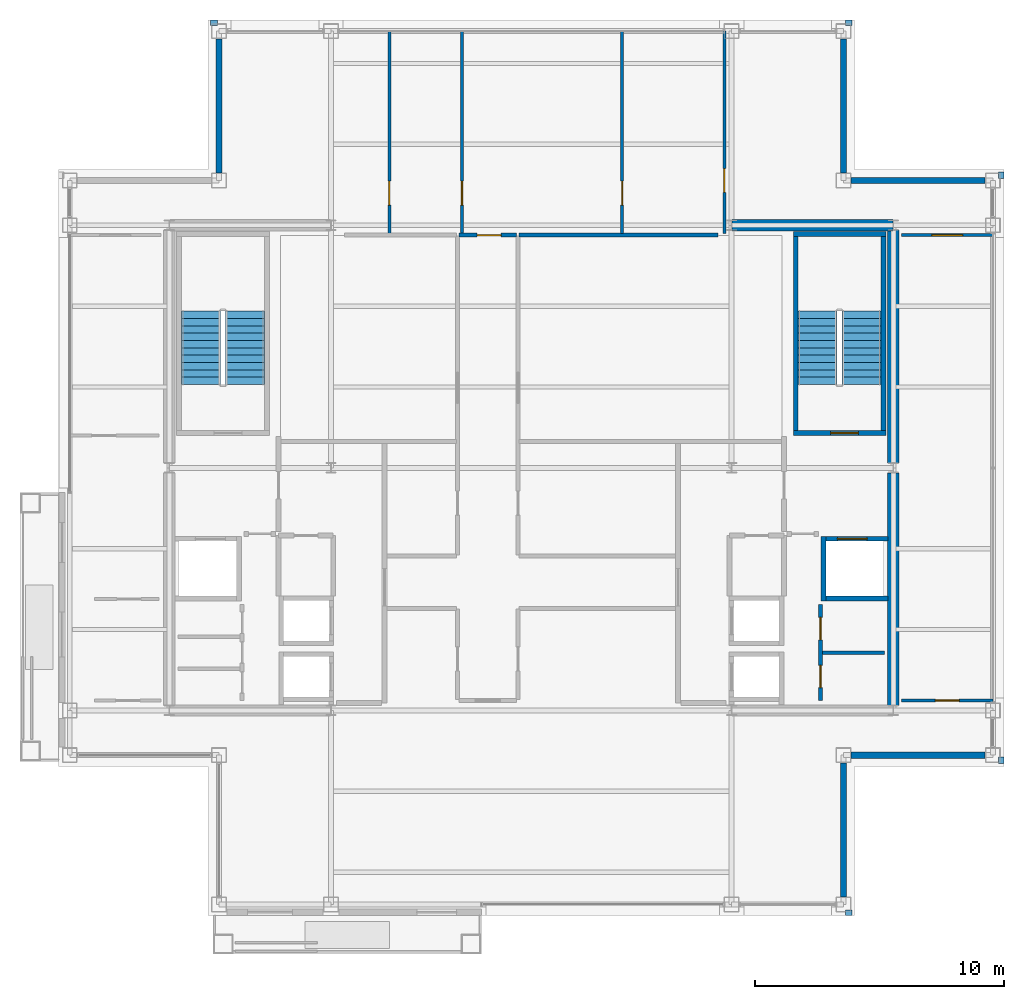
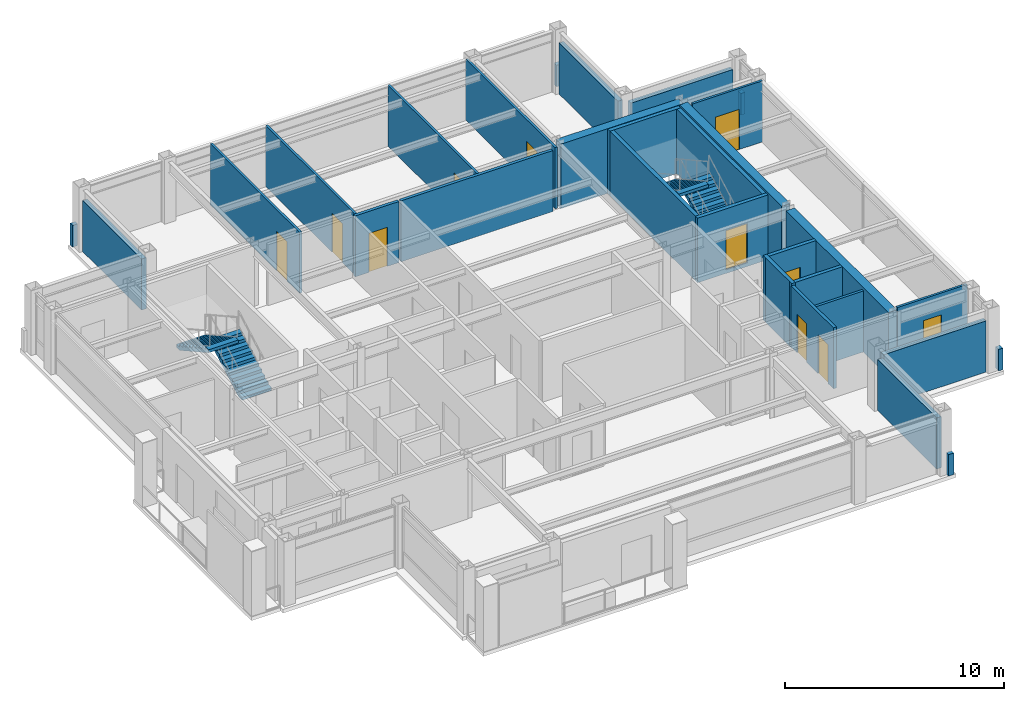
# One storey, part 22 of 24: 30 walls, 11 doors, 4 stair flights, 11 openings, 2 elements without a shape of their own.
"""IFC4 building model written with IfcOpenShell, lengths in metres."""

from ifc_helpers import new_model, si_unit, direction, frame, frame_2d, origin, place, context, subcontext, project, spatial, polyline, rectangle, outline, extrude, material, layer, layer_set, type_object, element, fill, aggregate, save


model = new_model("IFC4")

# Units and contexts
model_context = context("Model", 3, precision=1e-05, world=origin(), true_north=direction((0.0, 1.0)))
body_context = subcontext(model_context, "Body", "Model", "MODEL_VIEW")
ifc_project = project(units=[si_unit("LENGTHUNIT", "METRE"), si_unit("AREAUNIT", "SQUARE_METRE"), si_unit("VOLUMEUNIT", "CUBIC_METRE"), si_unit("PLANEANGLEUNIT", "RADIAN"), si_unit("MASSUNIT", "GRAM", prefix="KILO")], contexts=[model_context])

# Site, building, storey
site_placement = place(None, origin())
site = spatial("IfcSite", under=ifc_project, at=site_placement, CompositionType="ELEMENT")
building_placement = place(site_placement, origin())
building = spatial("IfcBuilding", under=site, at=building_placement, Name="Brelmoor Portico Tower", CompositionType="ELEMENT")
storey_placement = place(building_placement, frame((0.0, 0.0, 261.60009765625)))
storey = spatial("IfcBuildingStorey", under=building, at=storey_placement, Name="L69", CompositionType="ELEMENT", Elevation=261.60009765625)

# Walls
ifc_material_1 = material(Name="Concrete C50", Category="concrete")
ifc_layer_1 = layer(ifc_material_1, 0.449951171875)
ifc_layer_set_1 = layer_set([ifc_layer_1], Name="Concrete C50")
wall_type_1 = type_object("IfcWallType", Name="WL-CORE-450", PredefinedType="SHEAR", material=ifc_layer_set_1)
wall_1_placement = place(storey_placement, frame((8.070068359375, 9.75, -0.2001953125), z_axis=(0.0, 0.0, 1.0), x_axis=(1.0, 0.0, 0.0)))
element("IfcWall", 1, at=wall_1_placement, inside=storey, type_object=wall_type_1, Name="L69 EC North Shear Wall", PredefinedType="SHEAR", context=body_context, shape_type="SweptSolid", body=[
    extrude(rectangle(XDim=6.4599609375, YDim=0.449951171875, at=frame_2d((3.22998046875, 0.0))), origin(), (0.0, 0.0, 1.0), 3.60009765625),
])
for number, where, z_axis, x_axis, name in (
    (2, (14.550048828125, -9.550048828125, -0.2001953125), (0.0, 0.0, 1.0), (0.0, 1.0, 0.0), "L69 EC Outer South Shear Wall"),
    (3, (14.550048828125, 0.199951171875, -0.2001953125), (0.0, 0.0, 1.0), (0.0, 1.0, 0.0), "L69 EC Outer North Shear Wall"),
):
    element("IfcWall", number, at=place(storey_placement, frame(where, z_axis=z_axis, x_axis=x_axis)), inside=storey, type_object=wall_type_1, Name=name, PredefinedType="SHEAR", context=body_context, shape_type="SweptSolid", body=[
        extrude(rectangle(XDim=9.35009765625, YDim=0.449951171875, at=frame_2d((4.675048828125, 0.0))), origin(), (0.0, 0.0, 1.0), 3.60009765625),
    ])
ifc_material_2 = material(Name="Precast Concrete C40 Insulated Facade Wall", Category="concrete")
ifc_layer_2 = layer(ifc_material_2, 0.25)
ifc_layer_set_2 = layer_set([ifc_layer_2], Name="Precast Concrete C40 Insulated Facade Wall")
wall_type_2 = type_object("IfcWallType", Name="WL-EXT-250", PredefinedType="STANDARD", material=ifc_layer_set_2)
for number, where, z_axis, x_axis, name in (
    (4, (12.860107421875, -11.550048828125, 0.0), (0.0, 0.0, 1.0), (1.0, 0.0, 0.0), "L69 Corner Notch Facade Wall NSEH1"),
    (5, (12.550048828125, -17.239990234375, 0.0), (0.0, 0.0, 1.0), (0.0, 1.0, 0.0), "L69 Corner Notch Facade Wall NSEV1"),
    (6, (-12.550048828125, 11.860107421875, 0.0), (0.0, 0.0, 1.0), (0.0, 1.0, 0.0), "L69 Corner Notch Facade Wall NNWV1"),
    (7, (12.860107421875, 11.550048828125, 0.0), (0.0, 0.0, 1.0), (1.0, 0.0, 0.0), "L69 Corner Notch Facade Wall NNEH1"),
    (8, (12.550048828125, 11.860107421875, 0.0), (0.0, 0.0, 1.0), (0.0, 1.0, 0.0), "L69 Corner Notch Facade Wall NNEV1"),
):
    element("IfcWall", number, at=place(storey_placement, frame(where, z_axis=z_axis, x_axis=x_axis)), inside=storey, type_object=wall_type_2, Name=name, PredefinedType="STANDARD", context=body_context, shape_type="SweptSolid", body=[
        extrude(rectangle(XDim=5.3798828125, YDim=0.25, at=frame_2d((2.68994140625, 0.0))), origin(), (0.0, 0.0, 1.0), 2.849853515625),
    ])
ifc_material_3 = material(Name="Concrete C40 Parapet Upstand", Category="concrete")
ifc_layer_3 = layer(ifc_material_3, 0.219970703125)
ifc_layer_set_3 = layer_set([ifc_layer_3], Name="Concrete C40 Parapet Upstand")
wall_type_3 = type_object("IfcWallType", Name="WL-PARAPET-220", PredefinedType="PARAPET", material=ifc_layer_set_3)
for number, where, z_axis, x_axis, name in (
    (9, (12.6201171875, -17.889892578125, 0.0), (0.0, 0.0, 1.0), (1.0, 0.0, 0.0), "L69 Chamfer Vertex Parapet Pier SE1"),
    (10, (18.889892578125, -11.889892578125, 0.0), (0.0, 0.0, 1.0), (0.0, 1.0, 0.0), "L69 Chamfer Vertex Parapet Pier SE2"),
    (11, (-12.889892578125, 17.889892578125, 0.0), (0.0, 0.0, 1.0), (1.0, 0.0, 0.0), "L69 Chamfer Vertex Parapet Pier NW1"),
    (12, (12.6201171875, 17.889892578125, 0.0), (0.0, 0.0, 1.0), (1.0, 0.0, 0.0), "L69 Chamfer Vertex Parapet Pier NE1"),
    (13, (18.889892578125, 11.6201171875, 0.0), (0.0, 0.0, 1.0), (0.0, 1.0, 0.0), "L69 Chamfer Vertex Parapet Pier NE2"),
):
    element("IfcWall", number, at=place(storey_placement, frame(where, z_axis=z_axis, x_axis=x_axis)), inside=storey, type_object=wall_type_3, Name=name, PredefinedType="PARAPET", context=body_context, shape_type="SweptSolid", body=[
        extrude(rectangle(XDim=0.269775390625, YDim=0.219970703125, at=frame_2d((0.134765625, 0.0))), origin(), (0.0, 0.0, 1.0), 1.199951171875),
    ])

# Wall, opening, door
ifc_material_4 = material(Name="Lightweight Gypsum Office Partition", Category="gypsum")
ifc_layer_4 = layer(ifc_material_4, 0.1201171875)
ifc_layer_set_4 = layer_set([ifc_layer_4], Name="Lightweight Gypsum Office Partition")
wall_type_4 = type_object("IfcWallType", Name="WL-PART-120", PredefinedType="PARTITIONING", material=ifc_layer_set_4)
wall_2_placement = place(storey_placement, frame((-5.705078125, 9.409912109375, 0.0), z_axis=(0.0, 0.0, 1.0), x_axis=(0.0, 1.0, 0.0)))
wall_2 = element("IfcWall", 14, at=wall_2_placement, inside=storey, type_object=wall_type_4, Name="L69 North Suite Partition 1", PredefinedType="PARTITIONING", context=body_context, shape_type="SweptSolid", body=[
    extrude(rectangle(XDim=8.150146484375, YDim=0.1201171875, at=frame_2d((4.0751953125, 0.0))), origin(), (0.0, 0.0, 1.0), 3.39990234375),
])
opening_1_placement = place(wall_2_placement, frame((1.14990234375, 0.0, 0.0)))
opening_1 = element("IfcOpeningElement", 15, at=opening_1_placement, cuts=wall_2, Name="Opening D-IN2", PredefinedType="OPENING", context=body_context, shape_type="SweptSolid", body=[
    extrude(rectangle(XDim=0.9599609375, YDim=2.179931640625, at=frame_2d((0.47998046875, 1.08984375))), frame((0.0, 0.070068359375, 0.0), z_axis=(0.0, -1.0, 0.0), x_axis=(1.0, 0.0, 0.0)), (0.0, 0.0, 1.0), 0.14013671875),
])
ifc_material_5 = material(Name="Lacquered Timber Suite Door", Category="wood")
door_type_1 = type_object("IfcDoorType", Name="DR-INT-950", OperationType="NOTDEFINED", PredefinedType="DOOR", material=ifc_material_5)
door_1_placement = place(opening_1_placement, origin())
door_1 = element("IfcDoor", 16, at=door_1_placement, inside=storey, type_object=door_type_1, Name="D-2840 L69 North Suite Connecting Door 1", OperationType="SINGLE_SWING_RIGHT", OverallHeight=2.179931640625, OverallWidth=0.9599609375, PredefinedType="DOOR", context=body_context, shape_type="SweptSolid", body=[
    extrude(rectangle(XDim=0.9599609375, YDim=2.179931640625, at=frame_2d((0.47998046875, 1.08984375))), frame((0.0, 0.02490234375, 0.0), z_axis=(0.0, -1.0, 0.0), x_axis=(1.0, 0.0, 0.0)), (0.0, 0.0, 1.0), 0.050048828125),
])
fill(opening_1, door_1)

wall_3_placement = place(storey_placement, frame((-2.78466796875, 9.409912109375, 0.0), z_axis=(0.0, 0.0, 1.0), x_axis=(0.0, 1.0, 0.0)))
wall_3 = element("IfcWall", 17, at=wall_3_placement, inside=storey, type_object=wall_type_4, Name="L69 North Suite Partition 2", PredefinedType="PARTITIONING", context=body_context, shape_type="SweptSolid", body=[
    extrude(rectangle(XDim=8.150146484375, YDim=0.1201171875, at=frame_2d((4.0751953125, 0.0))), origin(), (0.0, 0.0, 1.0), 3.39990234375),
])
opening_2_placement = place(wall_3_placement, frame((1.14990234375, 0.0, 0.0)))
opening_2 = element("IfcOpeningElement", 18, at=opening_2_placement, cuts=wall_3, Name="Opening D-IN2", PredefinedType="OPENING", context=body_context, shape_type="SweptSolid", body=[
    extrude(rectangle(XDim=0.9599609375, YDim=2.179931640625, at=frame_2d((0.47998046875, 1.08984375))), frame((0.0, 0.070068359375, 0.0), z_axis=(0.0, -1.0, 0.0), x_axis=(1.0, 0.0, 0.0)), (0.0, 0.0, 1.0), 0.14013671875),
])
door_2_placement = place(opening_2_placement, origin())
door_2 = element("IfcDoor", 19, at=door_2_placement, inside=storey, type_object=door_type_1, Name="D-2841 L69 North Suite Connecting Door 2", OperationType="SINGLE_SWING_LEFT", OverallHeight=2.179931640625, OverallWidth=0.9599609375, PredefinedType="DOOR", context=body_context, shape_type="SweptSolid", body=[
    extrude(rectangle(XDim=0.9599609375, YDim=2.179931640625, at=frame_2d((0.47998046875, 1.08984375))), frame((0.0, 0.02490234375, 0.0), z_axis=(0.0, -1.0, 0.0), x_axis=(1.0, 0.0, 0.0)), (0.0, 0.0, 1.0), 0.050048828125),
])
fill(opening_2, door_2)

wall_4_placement = place(storey_placement, frame((3.651123046875, 9.409912109375, 0.0), z_axis=(0.0, 0.0, 1.0), x_axis=(0.0, 1.0, 0.0)))
wall_4 = element("IfcWall", 20, at=wall_4_placement, inside=storey, type_object=wall_type_4, Name="L69 North Suite Partition 3", PredefinedType="PARTITIONING", context=body_context, shape_type="SweptSolid", body=[
    extrude(rectangle(XDim=8.150146484375, YDim=0.1201171875, at=frame_2d((4.0751953125, 0.0))), origin(), (0.0, 0.0, 1.0), 3.39990234375),
])
opening_3_placement = place(wall_4_placement, frame((1.14990234375, 0.0, 0.0)))
opening_3 = element("IfcOpeningElement", 21, at=opening_3_placement, cuts=wall_4, Name="Opening D-IN2", PredefinedType="OPENING", context=body_context, shape_type="SweptSolid", body=[
    extrude(rectangle(XDim=0.9599609375, YDim=2.179931640625, at=frame_2d((0.47998046875, 1.08984375))), frame((0.0, 0.070068359375, 0.0), z_axis=(0.0, -1.0, 0.0), x_axis=(1.0, 0.0, 0.0)), (0.0, 0.0, 1.0), 0.14013671875),
])
door_3_placement = place(opening_3_placement, origin())
door_3 = element("IfcDoor", 22, at=door_3_placement, inside=storey, type_object=door_type_1, Name="D-2842 L69 North Suite Connecting Door 3", OperationType="SINGLE_SWING_RIGHT", OverallHeight=2.179931640625, OverallWidth=0.9599609375, PredefinedType="DOOR", context=body_context, shape_type="SweptSolid", body=[
    extrude(rectangle(XDim=0.9599609375, YDim=2.179931640625, at=frame_2d((0.47998046875, 1.08984375))), frame((0.0, 0.02490234375, 0.0), z_axis=(0.0, -1.0, 0.0), x_axis=(1.0, 0.0, 0.0)), (0.0, 0.0, 1.0), 0.050048828125),
])
fill(opening_3, door_3)

wall_5_placement = place(storey_placement, frame((7.7587890625, 9.409912109375, 0.0), z_axis=(0.0, 0.0, 1.0), x_axis=(0.0, 1.0, 0.0)))
wall_5 = element("IfcWall", 23, at=wall_5_placement, inside=storey, type_object=wall_type_4, Name="L69 North Suite Partition 4", PredefinedType="PARTITIONING", context=body_context, shape_type="SweptSolid", body=[
    extrude(rectangle(XDim=8.150146484375, YDim=0.1201171875, at=frame_2d((4.0751953125, 0.0))), origin(), (0.0, 0.0, 1.0), 3.39990234375),
])
opening_4_placement = place(wall_5_placement, frame((1.659912109375, 0.0, 0.0)))
opening_4 = element("IfcOpeningElement", 24, at=opening_4_placement, cuts=wall_5, Name="Opening D-IN2", PredefinedType="OPENING", context=body_context, shape_type="SweptSolid", body=[
    extrude(rectangle(XDim=0.9599609375, YDim=2.179931640625, at=frame_2d((0.47998046875, 1.08984375))), frame((0.0, 0.070068359375, 0.0), z_axis=(0.0, -1.0, 0.0), x_axis=(1.0, 0.0, 0.0)), (0.0, 0.0, 1.0), 0.14013671875),
])
door_4_placement = place(opening_4_placement, origin())
door_4 = element("IfcDoor", 25, at=door_4_placement, inside=storey, type_object=door_type_1, Name="D-2843 L69 North Suite Connecting Door 4", OperationType="SINGLE_SWING_LEFT", OverallHeight=2.179931640625, OverallWidth=0.9599609375, PredefinedType="DOOR", context=body_context, shape_type="SweptSolid", body=[
    extrude(rectangle(XDim=0.9599609375, YDim=2.179931640625, at=frame_2d((0.47998046875, 1.08984375))), frame((0.0, 0.02490234375, 0.0), z_axis=(0.0, -1.0, 0.0), x_axis=(1.0, 0.0, 0.0)), (0.0, 0.0, 1.0), 0.050048828125),
])
fill(opening_4, door_4)

wall_6_placement = place(storey_placement, frame((14.8798828125, 9.35009765625, 0.0), z_axis=(0.0, 0.0, 1.0), x_axis=(1.0, 0.0, 0.0)))
wall_6 = element("IfcWall", 26, at=wall_6_placement, inside=storey, type_object=wall_type_4, Name="L69 North Wing Suite Wall ER", PredefinedType="PARTITIONING", context=body_context, shape_type="SweptSolid", body=[
    extrude(rectangle(XDim=3.68017578125, YDim=0.1201171875, at=frame_2d((1.840087890625, 0.0))), origin(), (0.0, 0.0, 1.0), 3.39990234375),
])
opening_5_placement = place(wall_6_placement, frame((1.219970703125, 0.0, 0.0)))
opening_5 = element("IfcOpeningElement", 27, at=opening_5_placement, cuts=wall_6, Name="Opening D-SU1", PredefinedType="OPENING", context=body_context, shape_type="SweptSolid", body=[
    extrude(rectangle(XDim=1.239990234375, YDim=2.239990234375, at=frame_2d((0.6201171875, 1.1201171875))), frame((0.0, 0.070068359375, 0.0), z_axis=(0.0, -1.0, 0.0), x_axis=(1.0, 0.0, 0.0)), (0.0, 0.0, 1.0), 0.14013671875),
])
ifc_material_6 = material(Name="Glazed Timber Executive Suite Door", Category="wood")
door_type_2 = type_object("IfcDoorType", Name="DR-SUITE-1200", OperationType="NOTDEFINED", PredefinedType="DOOR", material=ifc_material_6)
door_5_placement = place(opening_5_placement, origin())
door_5 = element("IfcDoor", 28, at=door_5_placement, inside=storey, type_object=door_type_2, Name="D-2844 L69 ER Wing Suite Connecting Door", OperationType="SINGLE_SWING_RIGHT", OverallHeight=2.239990234375, OverallWidth=1.239990234375, PredefinedType="DOOR", context=body_context, shape_type="SweptSolid", body=[
    extrude(rectangle(XDim=1.239990234375, YDim=2.239990234375, at=frame_2d((0.6201171875, 1.1201171875))), frame((0.0, 0.02490234375, 0.0), z_axis=(0.0, -1.0, 0.0), x_axis=(1.0, 0.0, 0.0)), (0.0, 0.0, 1.0), 0.050048828125),
])
fill(opening_5, door_5)

wall_7_placement = place(storey_placement, frame((14.8798828125, -9.35009765625, 0.0), z_axis=(0.0, 0.0, 1.0), x_axis=(1.0, 0.0, 0.0)))
wall_7 = element("IfcWall", 29, at=wall_7_placement, inside=storey, type_object=wall_type_4, Name="L69 South Wing Closure ER", PredefinedType="PARTITIONING", context=body_context, shape_type="SweptSolid", body=[
    extrude(rectangle(XDim=3.68017578125, YDim=0.1201171875, at=frame_2d((1.840087890625, 0.0))), origin(), (0.0, 0.0, 1.0), 3.39990234375),
])
opening_6_placement = place(wall_7_placement, frame((1.360107421875, 0.0, 0.0)))
opening_6 = element("IfcOpeningElement", 30, at=opening_6_placement, cuts=wall_7, Name="Opening D-IN2", PredefinedType="OPENING", context=body_context, shape_type="SweptSolid", body=[
    extrude(rectangle(XDim=0.9599609375, YDim=2.179931640625, at=frame_2d((0.47998046875, 1.08984375))), frame((0.0, 0.070068359375, 0.0), z_axis=(0.0, -1.0, 0.0), x_axis=(1.0, 0.0, 0.0)), (0.0, 0.0, 1.0), 0.14013671875),
])
door_6_placement = place(opening_6_placement, origin())
door_6 = element("IfcDoor", 31, at=door_6_placement, inside=storey, type_object=door_type_1, Name="D-2849 L69 ER Wing South Suite Door", OperationType="SINGLE_SWING_LEFT", OverallHeight=2.179931640625, OverallWidth=0.9599609375, PredefinedType="DOOR", context=body_context, shape_type="SweptSolid", body=[
    extrude(rectangle(XDim=0.9599609375, YDim=2.179931640625, at=frame_2d((0.47998046875, 1.08984375))), frame((0.0, 0.02490234375, 0.0), z_axis=(0.0, -1.0, 0.0), x_axis=(1.0, 0.0, 0.0)), (0.0, 0.0, 1.0), 0.050048828125),
])
fill(opening_6, door_6)

# Wall
ifc_material_7 = material(Name="Insulated Stud Suite Partition", Category="gypsum")
ifc_layer_5 = layer(ifc_material_7, 0.139892578125)
ifc_layer_set_5 = layer_set([ifc_layer_5], Name="Insulated Stud Suite Partition")
wall_type_5 = type_object("IfcWallType", Name="WL-PART-140", PredefinedType="PARTITIONING", material=ifc_layer_set_5)
wall_8_placement = place(storey_placement, frame((11.699951171875, -7.425048828125, 0.0), z_axis=(0.0, 0.0, 1.0), x_axis=(1.0, 0.0, 0.0)))
element("IfcWall", 32, at=wall_8_placement, inside=storey, type_object=wall_type_5, Name="L69 E Core WC Divider 1", PredefinedType="PARTITIONING", context=body_context, shape_type="SweptSolid", body=[
    extrude(rectangle(XDim=2.5, YDim=0.139892578125, at=frame_2d((1.25, 0.0))), origin(), (0.0, 0.0, 1.0), 3.39990234375),
])

# Wall, openings, doors
ifc_material_8 = material(Name="Twin-Frame Acoustic Partition", Category="gypsum")
ifc_layer_6 = layer(ifc_material_8, 0.159912109375)
ifc_layer_set_6 = layer_set([ifc_layer_6], Name="Twin-Frame Acoustic Partition")
wall_type_6 = type_object("IfcWallType", Name="WL-PART-160", PredefinedType="PARTITIONING", material=ifc_layer_set_6)
wall_9_placement = place(storey_placement, frame((11.6201171875, -9.35009765625, 0.0), z_axis=(0.0, 0.0, 1.0), x_axis=(0.0, 1.0, 0.0)))
wall_9 = element("IfcWall", 33, at=wall_9_placement, inside=storey, type_object=wall_type_6, Name="L69 E Core Service Front Wall", PredefinedType="PARTITIONING", context=body_context, shape_type="SweptSolid", body=[
    extrude(rectangle(XDim=3.85009765625, YDim=0.159912109375, at=frame_2d((1.925048828125, 0.0))), origin(), (0.0, 0.0, 1.0), 3.39990234375),
])
opening_7_placement = place(wall_9_placement, frame((0.512451171875, 0.0, 0.0)))
opening_7 = element("IfcOpeningElement", 34, at=opening_7_placement, cuts=wall_9, Name="Opening D-IN1", PredefinedType="OPENING", context=body_context, shape_type="SweptSolid", body=[
    extrude(rectangle(XDim=0.89990234375, YDim=2.14990234375, at=frame_2d((0.449951171875, 1.074951171875))), frame((0.0, 0.08984375, 0.0), z_axis=(0.0, -1.0, 0.0), x_axis=(1.0, 0.0, 0.0)), (0.0, 0.0, 1.0), 0.179931640625),
])
opening_8_placement = place(wall_9_placement, frame((2.4375, 0.0, 0.0)))
opening_8 = element("IfcOpeningElement", 35, at=opening_8_placement, cuts=wall_9, Name="Opening D-IN1", PredefinedType="OPENING", context=body_context, shape_type="SweptSolid", body=[
    extrude(rectangle(XDim=0.89990234375, YDim=2.14990234375, at=frame_2d((0.449951171875, 1.074951171875))), frame((0.0, 0.08984375, 0.0), z_axis=(0.0, -1.0, 0.0), x_axis=(1.0, 0.0, 0.0)), (0.0, 0.0, 1.0), 0.179931640625),
])
door_type_3 = type_object("IfcDoorType", Name="DR-INT-900", OperationType="NOTDEFINED", PredefinedType="DOOR", material=ifc_material_5)
door_7_placement = place(opening_7_placement, origin())
door_7 = element("IfcDoor", 36, at=door_7_placement, inside=storey, type_object=door_type_3, Name="D-2826 L69 E Male WC Door", OperationType="SINGLE_SWING_RIGHT", OverallHeight=2.14990234375, OverallWidth=0.89990234375, PredefinedType="DOOR", context=body_context, shape_type="SweptSolid", body=[
    extrude(rectangle(XDim=0.89990234375, YDim=2.14990234375, at=frame_2d((0.449951171875, 1.074951171875))), frame((0.0, 0.02490234375, 0.0), z_axis=(0.0, -1.0, 0.0), x_axis=(1.0, 0.0, 0.0)), (0.0, 0.0, 1.0), 0.050048828125),
])
fill(opening_7, door_7)
door_8_placement = place(opening_8_placement, origin())
door_8 = element("IfcDoor", 37, at=door_8_placement, inside=storey, type_object=door_type_3, Name="D-2827 L69 E Female WC Door", OperationType="SINGLE_SWING_LEFT", OverallHeight=2.14990234375, OverallWidth=0.89990234375, PredefinedType="DOOR", context=body_context, shape_type="SweptSolid", body=[
    extrude(rectangle(XDim=0.89990234375, YDim=2.14990234375, at=frame_2d((0.449951171875, 1.074951171875))), frame((0.0, 0.02490234375, 0.0), z_axis=(0.0, -1.0, 0.0), x_axis=(1.0, 0.0, 0.0)), (0.0, 0.0, 1.0), 0.050048828125),
])
fill(opening_8, door_8)

# Wall
wall_10_placement = place(storey_placement, frame((-0.489990234375, 9.35009765625, 0.0), z_axis=(0.0, 0.0, 1.0), x_axis=(1.0, 0.0, 0.0)))
element("IfcWall", 38, at=wall_10_placement, inside=storey, type_object=wall_type_6, Name="L69 East Suite North Wall", PredefinedType="PARTITIONING", context=body_context, shape_type="SweptSolid", body=[
    extrude(rectangle(XDim=7.989990234375, YDim=0.159912109375, at=frame_2d((3.9951171875, 0.0))), origin(), (0.0, 0.0, 1.0), 3.39990234375),
])

# Wall, opening, door
wall_11_placement = place(storey_placement, frame((-2.89990234375, 9.35009765625, 0.0), z_axis=(0.0, 0.0, 1.0), x_axis=(1.0, 0.0, 0.0)))
wall_11 = element("IfcWall", 39, at=wall_11_placement, inside=storey, type_object=wall_type_6, Name="L69 North Corridor Partition", PredefinedType="PARTITIONING", context=body_context, shape_type="SweptSolid", body=[
    extrude(rectangle(XDim=2.2998046875, YDim=0.159912109375, at=frame_2d((1.14990234375, 0.0))), origin(), (0.0, 0.0, 1.0), 3.39990234375),
])
opening_9_placement = place(wall_11_placement, frame((0.727783203125, 0.0, 0.0)))
opening_9 = element("IfcOpeningElement", 40, at=opening_9_placement, cuts=wall_11, Name="Opening D-IN2", PredefinedType="OPENING", context=body_context, shape_type="SweptSolid", body=[
    extrude(rectangle(XDim=0.9599609375, YDim=2.179931640625, at=frame_2d((0.47998046875, 1.08984375))), frame((0.0, 0.08984375, 0.0), z_axis=(0.0, -1.0, 0.0), x_axis=(1.0, 0.0, 0.0)), (0.0, 0.0, 1.0), 0.179931640625),
])
door_9_placement = place(opening_9_placement, origin())
door_9 = element("IfcDoor", 41, at=door_9_placement, inside=storey, type_object=door_type_1, Name="D-2839 L69 North Open-Plan Office 3 Door", OperationType="SINGLE_SWING_RIGHT", OverallHeight=2.179931640625, OverallWidth=0.9599609375, PredefinedType="DOOR", context=body_context, shape_type="SweptSolid", body=[
    extrude(rectangle(XDim=0.9599609375, YDim=2.179931640625, at=frame_2d((0.47998046875, 1.08984375))), frame((0.0, 0.02490234375, 0.0), z_axis=(0.0, -1.0, 0.0), x_axis=(1.0, 0.0, 0.0)), (0.0, 0.0, 1.0), 0.050048828125),
])
fill(opening_9, door_9)

ifc_material_9 = material(Name="Precast Concrete C40", Category="concrete")
ifc_layer_7 = layer(ifc_material_9, 0.18994140625)
ifc_layer_set_7 = layer_set([ifc_layer_7], Name="Precast Concrete C40")
wall_type_7 = type_object("IfcWallType", Name="WL-SHAFT-180", PredefinedType="SOLIDWALL", material=ifc_layer_set_7)
wall_12_placement = place(storey_placement, frame((11.64990234375, -2.844970703125, -0.2001953125), z_axis=(0.0, 0.0, 1.0), x_axis=(1.0, 0.0, 0.0)))
wall_12 = element("IfcWall", 42, at=wall_12_placement, inside=storey, type_object=wall_type_7, Name="L69 Lift FF2 Hoistway Front Wall", PredefinedType="SOLIDWALL", context=body_context, shape_type="SweptSolid", body=[
    extrude(rectangle(XDim=2.68017578125, YDim=0.18994140625, at=frame_2d((1.340087890625, 0.0))), origin(), (0.0, 0.0, 1.0), 3.60009765625),
])
opening_10_placement = place(wall_12_placement, frame((0.64990234375, 0.0, 0.199951171875)))
opening_10 = element("IfcOpeningElement", 43, at=opening_10_placement, cuts=wall_12, Name="Opening LD-02", PredefinedType="OPENING", context=body_context, shape_type="SweptSolid", body=[
    extrude(rectangle(XDim=1.199951171875, YDim=2.199951171875, at=frame_2d((0.60009765625, 1.10009765625))), frame((0.0, 0.10498046875, 0.0), z_axis=(0.0, -1.0, 0.0), x_axis=(1.0, 0.0, 0.0)), (0.0, 0.0, 1.0), 0.2099609375),
])
ifc_material_10 = material(Name="Brushed Stainless Steel Firefighting Lift Door", Category="steel")
door_type_4 = type_object("IfcDoorType", Name="DR-LIFT-1200", OperationType="NOTDEFINED", PredefinedType="DOOR", material=ifc_material_10)
door_10_placement = place(opening_10_placement, origin())
door_10 = element("IfcDoor", 44, at=door_10_placement, inside=storey, type_object=door_type_4, Name="D-2856 L69 Lift FF2 Sliding Landing Door", OperationType="SLIDING_TO_LEFT", OverallHeight=2.199951171875, OverallWidth=1.199951171875, PredefinedType="DOOR", context=body_context, shape_type="SweptSolid", body=[
    extrude(rectangle(XDim=1.199951171875, YDim=2.199951171875, at=frame_2d((0.60009765625, 1.10009765625))), frame((0.0, 0.02490234375, 0.0), z_axis=(0.0, -1.0, 0.0), x_axis=(1.0, 0.0, 0.0)), (0.0, 0.0, 1.0), 0.050048828125),
])
fill(opening_10, door_10)

# Walls
wall_13_placement = place(storey_placement, frame((11.64990234375, -5.2548828125, -0.2001953125), z_axis=(0.0, 0.0, 1.0), x_axis=(1.0, 0.0, 0.0)))
element("IfcWall", 45, at=wall_13_placement, inside=storey, type_object=wall_type_7, Name="L69 Firefighting Lift FF2 South Wall", PredefinedType="SOLIDWALL", context=body_context, shape_type="SweptSolid", body=[
    extrude(rectangle(XDim=2.68017578125, YDim=0.18994140625, at=frame_2d((1.340087890625, 0.0))), origin(), (0.0, 0.0, 1.0), 3.60009765625),
])
wall_14_placement = place(storey_placement, frame((11.7451171875, -5.35009765625, -0.2001953125), z_axis=(0.0, 0.0, 1.0), x_axis=(0.0, 1.0, 0.0)))
element("IfcWall", 46, at=wall_14_placement, inside=storey, type_object=wall_type_7, Name="L69 Firefighting Lift FF2 Inner Wall", PredefinedType="SOLIDWALL", context=body_context, shape_type="SweptSolid", body=[
    extrude(rectangle(XDim=2.60009765625, YDim=0.18994140625, at=frame_2d((1.300048828125, 0.0))), origin(), (0.0, 0.0, 1.0), 3.60009765625),
])
ifc_material_11 = material(Name="Concrete C40", Category="concrete")
ifc_layer_8 = layer(ifc_material_11, 0.199951171875)
ifc_layer_set_8 = layer_set([ifc_layer_8], Name="Concrete C40")
wall_type_8 = type_object("IfcWallType", Name="WL-SHAFT-RC200", PredefinedType="SOLIDWALL", material=ifc_layer_set_8)
wall_15_placement = place(storey_placement, frame((14.14990234375, 1.5, -0.2001953125), z_axis=(0.0, 0.0, 1.0), x_axis=(0.0, 1.0, 0.0)))
element("IfcWall", 47, at=wall_15_placement, inside=storey, type_object=wall_type_8, Name="L69 ST-E Structural Stair Wall Outer", PredefinedType="SOLIDWALL", context=body_context, shape_type="SweptSolid", body=[
    extrude(rectangle(XDim=7.800048828125, YDim=0.199951171875, at=frame_2d((3.89990234375, 0.0))), origin(), (0.0, 0.0, 1.0), 3.60009765625),
])

# Wall, opening, door
wall_16_placement = place(storey_placement, frame((10.530029296875, 1.39990234375, -0.2001953125), z_axis=(0.0, 0.0, 1.0), x_axis=(1.0, 0.0, 0.0)))
wall_16 = element("IfcWall", 48, at=wall_16_placement, inside=storey, type_object=wall_type_8, Name="L69 ST-E Structural Stair Wall S", PredefinedType="SOLIDWALL", context=body_context, shape_type="SweptSolid", body=[
    extrude(rectangle(XDim=3.719970703125, YDim=0.199951171875, at=frame_2d((1.85986328125, 0.0))), origin(), (0.0, 0.0, 1.0), 3.60009765625),
])
opening_11_placement = place(wall_16_placement, frame((1.5, 0.0, 0.199951171875)))
opening_11 = element("IfcOpeningElement", 49, at=opening_11_placement, cuts=wall_16, Name="Opening D-ST1", PredefinedType="OPENING", context=body_context, shape_type="SweptSolid", body=[
    extrude(rectangle(XDim=1.1201171875, YDim=2.179931640625, at=frame_2d((0.56005859375, 1.08984375))), frame((0.0, 0.10986328125, 0.0), z_axis=(0.0, -1.0, 0.0), x_axis=(1.0, 0.0, 0.0)), (0.0, 0.0, 1.0), 0.219970703125),
])
ifc_material_12 = material(Name="Painted Galvanised Steel Fire Door", Category="steel")
door_type_5 = type_object("IfcDoorType", Name="DR-STAIR-1100", OperationType="NOTDEFINED", PredefinedType="DOOR", material=ifc_material_12)
door_11_placement = place(opening_11_placement, origin())
door_11 = element("IfcDoor", 50, at=door_11_placement, inside=storey, type_object=door_type_5, Name="D-2847 L69 ST-E Protected Exit Stair Door", OperationType="SINGLE_SWING_RIGHT", OverallHeight=2.179931640625, OverallWidth=1.1201171875, PredefinedType="DOOR", context=body_context, shape_type="SweptSolid", body=[
    extrude(rectangle(XDim=1.1201171875, YDim=2.179931640625, at=frame_2d((0.56005859375, 1.08984375))), frame((0.0, 0.02490234375, 0.0), z_axis=(0.0, -1.0, 0.0), x_axis=(1.0, 0.0, 0.0)), (0.0, 0.0, 1.0), 0.050048828125),
])
fill(opening_11, door_11)

# Walls
wall_17_placement = place(storey_placement, frame((10.530029296875, 9.39990234375, -0.2001953125), z_axis=(0.0, 0.0, 1.0), x_axis=(1.0, 0.0, 0.0)))
element("IfcWall", 51, at=wall_17_placement, inside=storey, type_object=wall_type_8, Name="L69 ST-E Structural Stair Wall N", PredefinedType="SOLIDWALL", context=body_context, shape_type="SweptSolid", body=[
    extrude(rectangle(XDim=3.719970703125, YDim=0.199951171875, at=frame_2d((1.85986328125, 0.0))), origin(), (0.0, 0.0, 1.0), 3.60009765625),
])
wall_18_placement = place(storey_placement, frame((10.6298828125, 1.5, -0.2001953125), z_axis=(0.0, 0.0, 1.0), x_axis=(0.0, 1.0, 0.0)))
element("IfcWall", 52, at=wall_18_placement, inside=storey, type_object=wall_type_8, Name="L69 ST-E Structural Stair Wall Inner", PredefinedType="SOLIDWALL", context=body_context, shape_type="SweptSolid", body=[
    extrude(rectangle(XDim=7.800048828125, YDim=0.199951171875, at=frame_2d((3.89990234375, 0.0))), origin(), (0.0, 0.0, 1.0), 3.60009765625),
])

# Stair, stair flights
stair_type_1 = type_object("IfcStairType", Name="ST-CORE-W", PredefinedType="HALF_TURN_STAIR", material=ifc_material_11)
stair_1_placement = place(storey_placement, origin())
stair_1 = element("IfcStair", 53, at=stair_1_placement, inside=storey, type_object=stair_type_1, Name="L69 Protected Core Exit Stair ST-W", PredefinedType="HALF_TURN_STAIR")
stair_flight_type = type_object("IfcStairFlightType", Name="SF-CORE-1850", PredefinedType="STRAIGHT", material=ifc_material_11)
stair_flight_1_placement = place(storey_placement, frame((-11.510009765625, 3.35009765625, 0.0), z_axis=(0.0, 0.0, 1.0), x_axis=(0.0, 1.0, 0.0)))
stair_flight_1 = element("IfcStairFlight", 54, at=stair_flight_1_placement, type_object=stair_flight_type, Name="ST-W flight 1", NumberOfRisers=11, NumberOfTreads=10, PredefinedType="STRAIGHT", RiserHeight=0.163636364, TreadLength=0.295, context=body_context, shape_type="SweptSolid", body=[
    extrude(outline(polyline([(0.0, 0.0), (0.0, 0.16357421875), (0.294921875, 0.16357421875), (0.294921875, 0.327392578125), (0.590087890625, 0.327392578125), (0.590087890625, 0.490966796875), (0.885009765625, 0.490966796875), (0.885009765625, 0.654541015625), (1.179931640625, 0.654541015625), (1.179931640625, 0.818115234375), (1.47509765625, 0.818115234375), (1.47509765625, 0.98193359375), (1.77001953125, 0.98193359375), (1.77001953125, 1.1455078125), (2.06494140625, 1.1455078125), (2.06494140625, 1.30908203125), (2.360107421875, 1.30908203125), (2.360107421875, 1.47265625), (2.655029296875, 1.47265625), (2.655029296875, 1.636474609375), (2.949951171875, 1.636474609375), (2.949951171875, 1.800048828125), (2.949951171875, 1.46484375), (0.30908203125, 0.0), (0.0, 0.0)])), frame((0.0, 0.780029296875, 0.0), z_axis=(0.0, -1.0, 0.0), x_axis=(1.0, 0.0, 0.0)), (0.0, 0.0, 1.0), 1.56005859375),
])
stair_flight_2_placement = place(storey_placement, frame((-13.27001953125, 6.300048828125, 1.7998046875), z_axis=(0.0, 0.0, 1.0), x_axis=(0.0, -1.0, 0.0)))
stair_flight_2 = element("IfcStairFlight", 55, at=stair_flight_2_placement, type_object=stair_flight_type, Name="ST-W flight 2", NumberOfRisers=11, NumberOfTreads=10, PredefinedType="STRAIGHT", RiserHeight=0.163636364, TreadLength=0.295, context=body_context, shape_type="SweptSolid", body=[
    extrude(outline(polyline([(0.0, 0.0), (0.0, 0.16357421875), (0.294921875, 0.16357421875), (0.294921875, 0.327392578125), (0.590087890625, 0.327392578125), (0.590087890625, 0.490966796875), (0.885009765625, 0.490966796875), (0.885009765625, 0.654541015625), (1.179931640625, 0.654541015625), (1.179931640625, 0.818115234375), (1.47509765625, 0.818115234375), (1.47509765625, 0.98193359375), (1.77001953125, 0.98193359375), (1.77001953125, 1.1455078125), (2.06494140625, 1.1455078125), (2.06494140625, 1.30908203125), (2.360107421875, 1.30908203125), (2.360107421875, 1.47265625), (2.655029296875, 1.47265625), (2.655029296875, 1.636474609375), (2.949951171875, 1.636474609375), (2.949951171875, 1.800048828125), (2.949951171875, 1.46484375), (0.30908203125, 0.0), (0.0, 0.0)])), frame((0.0, 0.780029296875, 0.0), z_axis=(0.0, -1.0, 0.0), x_axis=(1.0, 0.0, 0.0)), (0.0, 0.0, 1.0), 1.56005859375),
])
aggregate(stair_1, [stair_flight_1, stair_flight_2])

stair_type_2 = type_object("IfcStairType", Name="ST-CORE-E", PredefinedType="HALF_TURN_STAIR", material=ifc_material_11)
stair_2_placement = place(storey_placement, origin())
stair_2 = element("IfcStair", 56, at=stair_2_placement, inside=storey, type_object=stair_type_2, Name="L69 Protected Core Exit Stair ST-E", PredefinedType="HALF_TURN_STAIR")
stair_flight_3_placement = place(storey_placement, frame((13.27001953125, 3.35009765625, 0.0), z_axis=(0.0, 0.0, 1.0), x_axis=(0.0, 1.0, 0.0)))
stair_flight_3 = element("IfcStairFlight", 57, at=stair_flight_3_placement, type_object=stair_flight_type, Name="ST-E flight 1", NumberOfRisers=11, NumberOfTreads=10, PredefinedType="STRAIGHT", RiserHeight=0.163636364, TreadLength=0.295, context=body_context, shape_type="SweptSolid", body=[
    extrude(outline(polyline([(0.0, 0.0), (0.0, 0.16357421875), (0.294921875, 0.16357421875), (0.294921875, 0.327392578125), (0.590087890625, 0.327392578125), (0.590087890625, 0.490966796875), (0.885009765625, 0.490966796875), (0.885009765625, 0.654541015625), (1.179931640625, 0.654541015625), (1.179931640625, 0.818115234375), (1.47509765625, 0.818115234375), (1.47509765625, 0.98193359375), (1.77001953125, 0.98193359375), (1.77001953125, 1.1455078125), (2.06494140625, 1.1455078125), (2.06494140625, 1.30908203125), (2.360107421875, 1.30908203125), (2.360107421875, 1.47265625), (2.655029296875, 1.47265625), (2.655029296875, 1.636474609375), (2.949951171875, 1.636474609375), (2.949951171875, 1.800048828125), (2.949951171875, 1.46484375), (0.30908203125, 0.0), (0.0, 0.0)])), frame((0.0, 0.780029296875, 0.0), z_axis=(0.0, -1.0, 0.0), x_axis=(1.0, 0.0, 0.0)), (0.0, 0.0, 1.0), 1.56005859375),
])
stair_flight_4_placement = place(storey_placement, frame((11.510009765625, 6.300048828125, 1.7998046875), z_axis=(0.0, 0.0, 1.0), x_axis=(0.0, -1.0, 0.0)))
stair_flight_4 = element("IfcStairFlight", 58, at=stair_flight_4_placement, type_object=stair_flight_type, Name="ST-E flight 2", NumberOfRisers=11, NumberOfTreads=10, PredefinedType="STRAIGHT", RiserHeight=0.163636364, TreadLength=0.295, context=body_context, shape_type="SweptSolid", body=[
    extrude(outline(polyline([(0.0, 0.0), (0.0, 0.16357421875), (0.294921875, 0.16357421875), (0.294921875, 0.327392578125), (0.590087890625, 0.327392578125), (0.590087890625, 0.490966796875), (0.885009765625, 0.490966796875), (0.885009765625, 0.654541015625), (1.179931640625, 0.654541015625), (1.179931640625, 0.818115234375), (1.47509765625, 0.818115234375), (1.47509765625, 0.98193359375), (1.77001953125, 0.98193359375), (1.77001953125, 1.1455078125), (2.06494140625, 1.1455078125), (2.06494140625, 1.30908203125), (2.360107421875, 1.30908203125), (2.360107421875, 1.47265625), (2.655029296875, 1.47265625), (2.655029296875, 1.636474609375), (2.949951171875, 1.636474609375), (2.949951171875, 1.800048828125), (2.949951171875, 1.46484375), (0.30908203125, 0.0), (0.0, 0.0)])), frame((0.0, 0.780029296875, 0.0), z_axis=(0.0, -1.0, 0.0), x_axis=(1.0, 0.0, 0.0)), (0.0, 0.0, 1.0), 1.56005859375),
])
aggregate(stair_2, [stair_flight_3, stair_flight_4])

save(model, "model.ifc")
